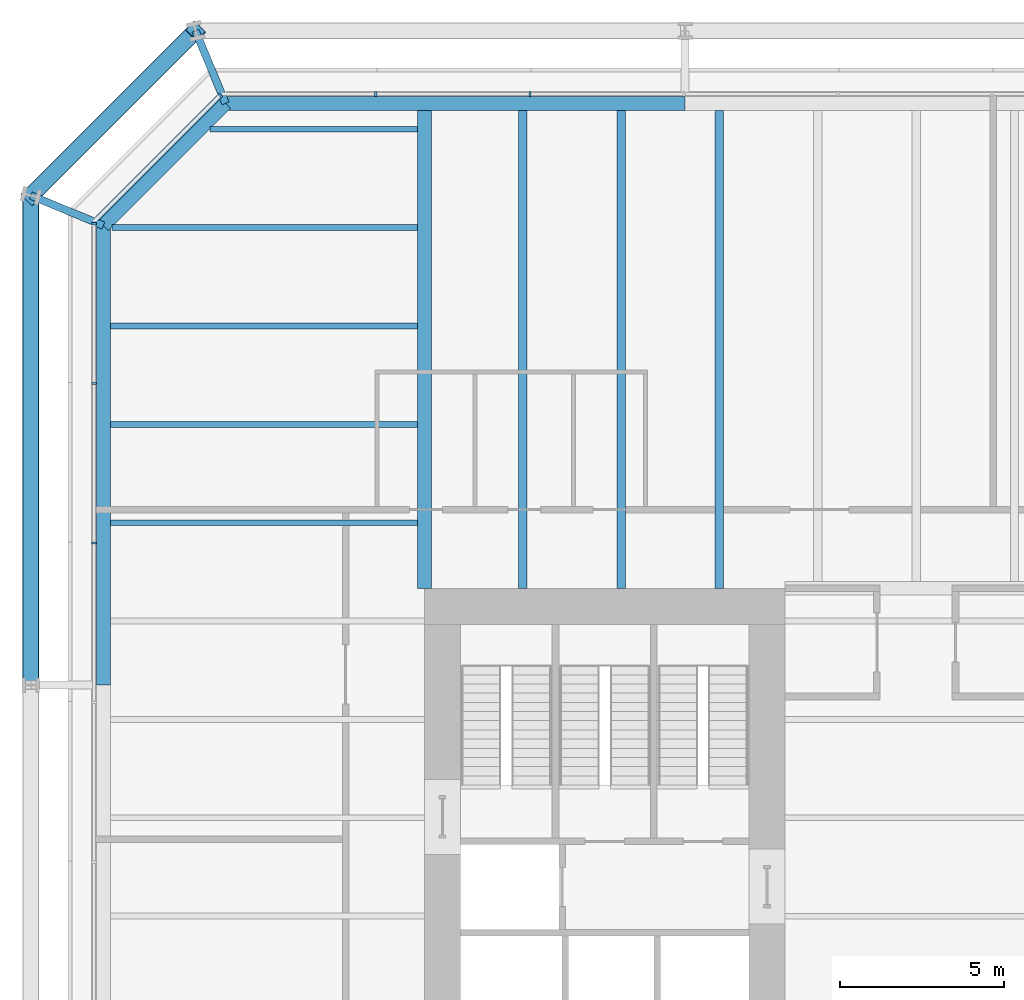
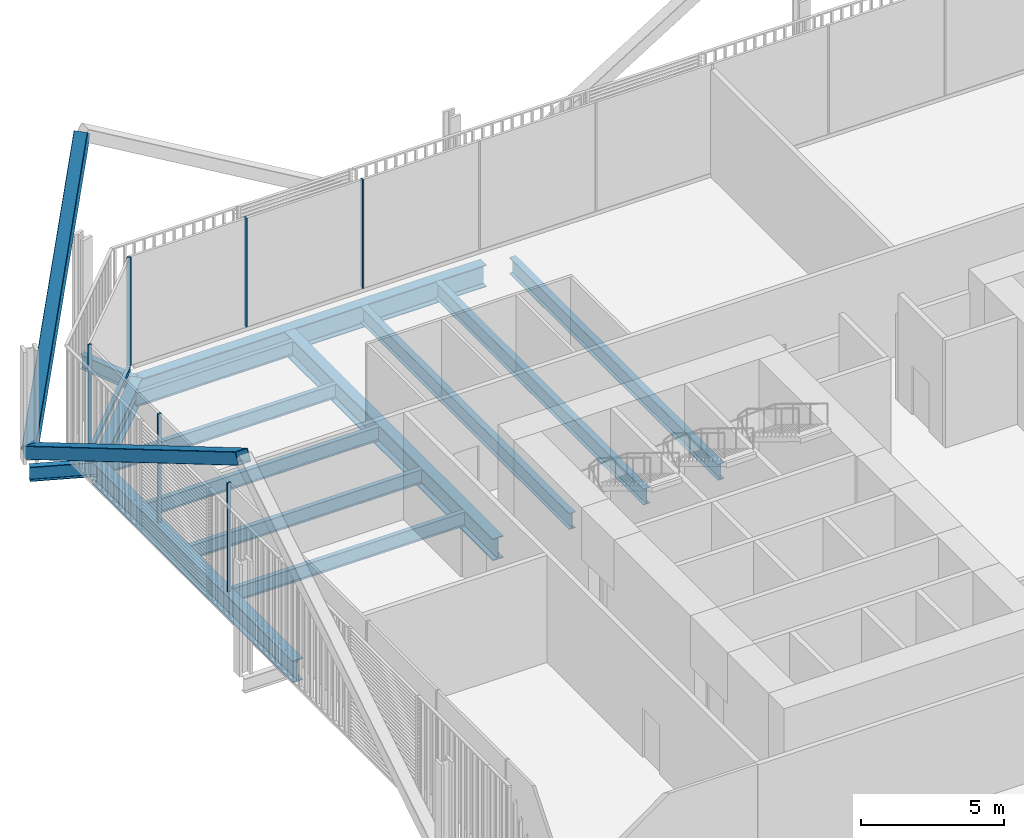
# One storey, part 11 of 26: 14 beams, 9 members, 3 elements without a shape of their own.
"""IFC4 building model written with IfcOpenShell, lengths in metres."""

import ifcopenshell
import ifcopenshell.guid

model = None  # the IFC model being written
_history = None  # IfcOwnerHistory: only IFC2X3 demands one
_inside = {}  # id of a spatial element -> (the spatial element, [elements in it])
_under = {}  # id of a project, library or spatial element -> (it, [spatial elements below it])
_declared = {}  # id of a project -> (the project, [libraries it declares])
_typed = {}  # id of a type object -> (the type object, [elements of that type])
_made_of = {}  # id of a material, layer set ... -> (it, [elements and type objects made of it])


def new_model(schema):
    """Start an empty IFC model of exactly this schema.

    Asked for "IFC4X3", IfcOpenShell would pick the latest addendum, in which some entities
    have other attributes; the version numbers below select the first issue.
    IFC2X3 requires an IfcOwnerHistory on every rooted entity: one is made here for all.
    """
    global model, _history
    if schema == "IFC4X3":
        model = ifcopenshell.file(schema_version=(4, 3, 0, 0))
    else:
        model = ifcopenshell.file(schema=schema)
    _inside.clear()
    _under.clear()
    _declared.clear()
    _typed.clear()
    _made_of.clear()
    _history = None
    if model.schema == "IFC2X3":
        org = make("IfcOrganization", Name="unknown")
        user = make(
            "IfcPersonAndOrganization",
            ThePerson=make("IfcPerson", FamilyName="unknown"),
            TheOrganization=org,
        )
        app = make(
            "IfcApplication",
            ApplicationDeveloper=org,
            Version="unknown",
            ApplicationFullName="unknown",
            ApplicationIdentifier="unknown",
        )
        _history = make(
            "IfcOwnerHistory",
            OwningUser=user,
            OwningApplication=app,
            ChangeAction="ADDED",
            CreationDate=0,
        )
    return model


def make(cls, **values):
    """One entity of the class cls with the attributes given. An attribute that is None is left unset."""
    return model.create_entity(
        cls, **{name: value for name, value in values.items() if value is not None}
    )


def rooted(cls, **values):
    """An entity with a GlobalId (a new one), such as an element, a storey or a relation."""
    return make(cls, GlobalId=ifcopenshell.guid.new(), OwnerHistory=_history, **values)


def si_unit(unit_type, name, prefix=None):
    """IfcSIUnit, for example si_unit("LENGTHUNIT", "METRE", prefix="MILLI")."""
    return make("IfcSIUnit", UnitType=unit_type, Prefix=prefix, Name=name)


def assignment(units):
    """IfcUnitAssignment: the units of a project."""
    return None if units is None else make("IfcUnitAssignment", Units=units)


def point(xyz):
    """IfcCartesianPoint."""
    return None if xyz is None else make("IfcCartesianPoint", Coordinates=xyz)


def direction(xyz):
    """IfcDirection."""
    return None if xyz is None else make("IfcDirection", DirectionRatios=xyz)


def frame(location, z_axis=None, x_axis=None):
    """IfcAxis2Placement3D, a coordinate frame: its origin and axes. An axis left out is left unset."""
    return make(
        "IfcAxis2Placement3D",
        Location=point(location),
        Axis=direction(z_axis),
        RefDirection=direction(x_axis),
    )


def frame_2d(location, x_axis=None):
    """IfcAxis2Placement2D, a coordinate frame in the plane: its origin and x axis."""
    return make(
        "IfcAxis2Placement2D", Location=point(location), RefDirection=direction(x_axis)
    )


def origin():
    """The frame at (0, 0, 0) with its axes left unset."""
    return frame((0.0, 0.0, 0.0))


def origin_2d():
    """The frame at (0, 0) in the plane with its x axis left unset."""
    return frame_2d((0.0, 0.0))


def place(relative_to, where):
    """IfcLocalPlacement: puts the frame where relative to a parent placement (None: the world)."""
    return make(
        "IfcLocalPlacement", PlacementRelTo=relative_to, RelativePlacement=where
    )


def context(
    kind, dimensions, precision=None, world=None, true_north=None, identifier=None
):
    """IfcGeometricRepresentationContext, for example the 3D "Model" context."""
    return make(
        "IfcGeometricRepresentationContext",
        ContextIdentifier=identifier,
        ContextType=kind,
        CoordinateSpaceDimension=dimensions,
        Precision=precision,
        WorldCoordinateSystem=world,
        TrueNorth=true_north,
    )


def subcontext(parent, identifier, kind, view, scale=None):
    """IfcGeometricRepresentationSubContext, for example "Body" below "Model"."""
    return make(
        "IfcGeometricRepresentationSubContext",
        ContextIdentifier=identifier,
        ContextType=kind,
        ParentContext=parent,
        TargetScale=scale,
        TargetView=view,
    )


def project(units=None, contexts=None):
    """IfcProject with its units and contexts."""
    return rooted(
        "IfcProject",
        Name="project",
        RepresentationContexts=contexts,
        UnitsInContext=assignment(units),
    )


def spatial(cls, under=None, at=None, **own):
    """A site, building, storey or space (cls), placed at a placement, below another one or the project."""
    s = rooted(cls, ObjectPlacement=at, **own)
    if under is not None:
        _under.setdefault(under.id(), (under, []))[1].append(s)
    return s


def profile(cls, at=None, kind="AREA", **sizes):
    """A parametric profile (cls). Its sizes go by their IFC names, for example OverallWidth=200.0."""
    return make(cls, ProfileType=kind, Position=at, **sizes)


def rectangle(**sizes):
    """IfcRectangleProfileDef."""
    return profile("IfcRectangleProfileDef", **sizes)


def hollow_rectangle(**sizes):
    """IfcRectangleHollowProfileDef."""
    return profile("IfcRectangleHollowProfileDef", **sizes)


def i_section(**sizes):
    """IfcIShapeProfileDef."""
    return profile("IfcIShapeProfileDef", **sizes)


def extrude(swept, where, along, depth):
    """IfcExtrudedAreaSolid: the profile swept, set in the frame where, extruded along a direction by depth."""
    return make(
        "IfcExtrudedAreaSolid",
        SweptArea=swept,
        Position=where,
        ExtrudedDirection=direction(along),
        Depth=depth,
    )


def shape(context_of_items, identifier, shape_type, items):
    """IfcShapeRepresentation: the items that make up one representation, for example the "Body"."""
    return make(
        "IfcShapeRepresentation",
        ContextOfItems=context_of_items,
        RepresentationIdentifier=identifier,
        RepresentationType=shape_type,
        Items=items,
    )


def material(Name=None, Category=None):
    """IfcMaterial."""
    return make("IfcMaterial", Name=Name, Category=Category)


def layer(
    of_material, thickness, ventilated=None, Name=None, Category=None, Priority=None
):
    """IfcMaterialLayer: one layer of a wall or slab, of a material (None: an air gap)."""
    return make(
        "IfcMaterialLayer",
        Material=of_material,
        LayerThickness=thickness,
        IsVentilated=ventilated,
        Name=Name,
        Category=Category,
        Priority=Priority,
    )


def layer_set(layers, Name=None):
    """IfcMaterialLayerSet."""
    return make("IfcMaterialLayerSet", MaterialLayers=layers, LayerSetName=Name)


def material_profile(
    of_material, cross_section, Name=None, Category=None, Priority=None
):
    """IfcMaterialProfile: a cross section and its material."""
    return make(
        "IfcMaterialProfile",
        Name=Name,
        Material=of_material,
        Profile=cross_section,
        Priority=Priority,
        Category=Category,
    )


def profile_set(profiles, Name=None, composite=None):
    """IfcMaterialProfileSet."""
    return make(
        "IfcMaterialProfileSet",
        Name=Name,
        MaterialProfiles=profiles,
        CompositeProfile=composite,
    )


def made_of(thing, what):
    """Note that an element or type object is made of a material, layer set ...; save() writes the relation."""
    if what is not None:
        _made_of.setdefault(what.id(), (what, []))[1].append(thing)
    return thing


def type_object(cls, material=None, **own):
    """A type object (cls), such as IfcWallType, which elements share."""
    return made_of(rooted(cls, **own), material)


def element(
    cls,
    number,
    at=None,
    inside=None,
    cuts=None,
    type_object=None,
    material=None,
    context=None,
    identifier="Body",
    shape_type=None,
    held_by="IfcProductDefinitionShape",
    body=None,
    shapes=None,
    **own,
):
    """One element of the class cls, such as IfcWall. Its Tag is "e" and its number.

    at: its placement. inside: the storey or other place that contains it. cuts: it is an
    opening in that element (IfcRelVoidsElement). A single representation is given by context,
    identifier, shape_type and body (its items); several are given by shapes. held_by: the class
    of the entity that holds the representations. save() writes the other relations.
    """
    e = rooted(cls, Tag="e%d" % number, ObjectPlacement=at, **own)
    if body is not None:
        shapes = [shape(context, identifier, shape_type, body)]
    if shapes is not None:
        e.Representation = make(held_by, Representations=shapes)
    if inside is not None:
        _inside.setdefault(inside.id(), (inside, []))[1].append(e)
    if cuts is not None:
        rooted(
            "IfcRelVoidsElement", RelatingBuildingElement=cuts, RelatedOpeningElement=e
        )
    if type_object is not None:
        _typed.setdefault(type_object.id(), (type_object, []))[1].append(e)
    return made_of(e, material)


def aggregate(whole, parts):
    """IfcRelAggregates: a whole, such as a stair, and the parts it consists of."""
    return rooted("IfcRelAggregates", RelatingObject=whole, RelatedObjects=parts)


def save(model, path):
    """Write the relations noted so far, then the file.

    IfcRelAggregates (storeys below a building ...), IfcRelContainedInSpatialStructure (elements
    in a storey), IfcRelDefinesByType, IfcRelAssociatesMaterial and IfcRelDeclares: one each for
    every whole, place, type object, material and project.
    """
    for whole, parts in _under.values():
        aggregate(whole, parts)
    for where, things in _inside.values():
        rooted(
            "IfcRelContainedInSpatialStructure",
            RelatedElements=things,
            RelatingStructure=where,
        )
    for kind, things in _typed.values():
        rooted("IfcRelDefinesByType", RelatedObjects=things, RelatingType=kind)
    for what, things in _made_of.values():
        rooted("IfcRelAssociatesMaterial", RelatedObjects=things, RelatingMaterial=what)
    for by, libraries in _declared.values():
        rooted("IfcRelDeclares", RelatingContext=by, RelatedDefinitions=libraries)
    model.write(path)


model = new_model("IFC4")

# Units and contexts
model_context = context("Model", 3, precision=1e-05, world=origin(), true_north=direction((0.0, 1.0)))
body_context = subcontext(model_context, "Body", "Model", "MODEL_VIEW")
ifc_project = project(units=[si_unit("LENGTHUNIT", "METRE"), si_unit("AREAUNIT", "SQUARE_METRE"), si_unit("VOLUMEUNIT", "CUBIC_METRE"), si_unit("PLANEANGLEUNIT", "RADIAN"), si_unit("MASSUNIT", "GRAM", prefix="KILO")], contexts=[model_context])

# Site, building, storey
site_placement = place(None, origin())
site = spatial("IfcSite", under=ifc_project, at=site_placement, CompositionType="ELEMENT")
building_placement = place(site_placement, origin())
building = spatial("IfcBuilding", under=site, at=building_placement, Name="Millrace Tower", CompositionType="ELEMENT")
storey_placement = place(building_placement, frame((0.0, 0.0, 11.300048828125)))
storey = spatial("IfcBuildingStorey", under=building, at=storey_placement, Name="L03", CompositionType="ELEMENT", Elevation=11.300048828125)

# Curtain wall, members
ifc_material_1 = material(Name="Aluminium and glass", Category="aluminium")
ifc_layer = layer(ifc_material_1, 0.14990234375)
ifc_layer_set = layer_set([ifc_layer], Name="Aluminium and glass")
curtain_wall_type = type_object("IfcCurtainWallType", Name="CW-2 data hall insulated curtain wall", PredefinedType="NOTDEFINED", material=ifc_layer_set)
placement = place(storey_placement, origin())
curtain_wall_1 = element("IfcCurtainWall", 1, at=placement, inside=storey, type_object=curtain_wall_type, Name="Curtain wall AW3-F04 L03", PredefinedType="NOTDEFINED")
ifc_material_2 = material(Name="Aluminium", Category="aluminium")
ifc_material_profile_1 = material_profile(ifc_material_2, rectangle(XDim=0.06494140625, YDim=0.14990234375, at=origin_2d()))
ifc_profile_set_1 = profile_set([ifc_material_profile_1], Name="Aluminium")
member_type_1 = type_object("IfcMemberType", Name="CW-2 data hall insulated curtain wall mullion", PredefinedType="MULLION", material=ifc_profile_set_1)
member_1_placement = place(storey_placement, frame((-11.782470703125, 25.074951171875, 0.159912109375), z_axis=(0.0, 0.0, 1.0), x_axis=(-1.0, 0.0, 0.0)))
member_1 = element("IfcMember", 2, at=member_1_placement, type_object=member_type_1, Name="CW2 mullion AW3-F04.8", PredefinedType="MULLION", context=body_context, shape_type="SweptSolid", body=[
    extrude(rectangle(XDim=0.06494140625, YDim=0.14990234375, at=origin_2d()), origin(), (0.0, 0.0, 1.0), 4.64013671875),
])
member_2_placement = place(storey_placement, frame((-16.482421875, 25.074951171875, 0.159912109375), z_axis=(0.0, 0.0, 1.0), x_axis=(-1.0, 0.0, 0.0)))
member_2 = element("IfcMember", 3, at=member_2_placement, type_object=member_type_1, Name="CW2 mullion AW3-F04.9", PredefinedType="MULLION", context=body_context, shape_type="SweptSolid", body=[
    extrude(rectangle(XDim=0.06494140625, YDim=0.14990234375, at=origin_2d()), origin(), (0.0, 0.0, 1.0), 4.64013671875),
])
aggregate(curtain_wall_1, [member_1, member_2])

# Curtain wall, member
curtain_wall_2 = element("IfcCurtainWall", 4, at=placement, inside=storey, type_object=curtain_wall_type, Name="Curtain wall AW3-F05 L03", PredefinedType="NOTDEFINED")
member_3_placement = place(storey_placement, frame((-21.22607421875, 25.030029296875, 0.159912109375), z_axis=(0.0, 0.0, 1.0), x_axis=(-0.707106781187, -0.707106781187, 0.0)))
member_3 = element("IfcMember", 5, at=member_3_placement, type_object=member_type_1, Name="CW2 mullion AW3-F05.1", PredefinedType="MULLION", context=body_context, shape_type="SweptSolid", body=[
    extrude(rectangle(XDim=0.06494140625, YDim=0.14990234375, at=origin_2d()), origin(), (0.0, 0.0, 1.0), 4.64013671875),
])

# Curtain wall, members
curtain_wall_3 = element("IfcCurtainWall", 6, at=placement, inside=storey, type_object=curtain_wall_type, Name="Curtain wall AW3-F06 L03", PredefinedType="NOTDEFINED")
member_4_placement = place(storey_placement, frame((-25.074951171875, 21.117431640625, 0.159912109375), z_axis=(0.0, 0.0, 1.0), x_axis=(0.0, -1.0, 0.0)))
member_4 = element("IfcMember", 7, at=member_4_placement, type_object=member_type_1, Name="CW2 mullion AW3-F06.1", PredefinedType="MULLION", context=body_context, shape_type="SweptSolid", body=[
    extrude(rectangle(XDim=0.06494140625, YDim=0.14990234375, at=origin_2d()), origin(), (0.0, 0.0, 1.0), 4.64013671875),
])
member_5_placement = place(storey_placement, frame((-25.074951171875, 16.249267578125, 0.159912109375), z_axis=(0.0, 0.0, 1.0), x_axis=(0.0, -1.0, 0.0)))
member_5 = element("IfcMember", 8, at=member_5_placement, type_object=member_type_1, Name="CW2 mullion AW3-F06.2", PredefinedType="MULLION", context=body_context, shape_type="SweptSolid", body=[
    extrude(rectangle(XDim=0.06494140625, YDim=0.14990234375, at=origin_2d()), origin(), (0.0, 0.0, 1.0), 4.64013671875),
])
member_6_placement = place(storey_placement, frame((-25.074951171875, 11.381103515625, 0.159912109375), z_axis=(0.0, 0.0, 1.0), x_axis=(0.0, -1.0, 0.0)))
member_6 = element("IfcMember", 9, at=member_6_placement, type_object=member_type_1, Name="CW2 mullion AW3-F06.3", PredefinedType="MULLION", context=body_context, shape_type="SweptSolid", body=[
    extrude(rectangle(XDim=0.06494140625, YDim=0.14990234375, at=origin_2d()), origin(), (0.0, 0.0, 1.0), 4.64013671875),
])
aggregate(curtain_wall_3, [member_4, member_5, member_6])

# Member
ifc_material_3 = material(Name="Aluminium", Category="aluminium")
ifc_material_profile_2 = material_profile(ifc_material_3, rectangle(XDim=0.14990234375, YDim=0.159912109375, at=origin_2d()))
ifc_profile_set_2 = profile_set([ifc_material_profile_2], Name="Aluminium")
member_type_2 = type_object("IfcMemberType", Name="CW-2 data hall insulated curtain wall transom", PredefinedType="USERDEFINED", material=ifc_profile_set_2)
member_7_placement = place(storey_placement, frame((-21.273681640625, 24.982421875, 0.079833984375), z_axis=(-0.707106781187, -0.707106781187, 0.0), x_axis=(0.707106781187, -0.707106781187, 0.0)))
member_7 = element("IfcMember", 10, at=member_7_placement, type_object=member_type_2, Name="CW2 transom AW3-F05.1", ObjectType="TRANSOM", PredefinedType="USERDEFINED", context=body_context, shape_type="SweptSolid", body=[
    extrude(rectangle(XDim=0.14990234375, YDim=0.159912109375, at=origin_2d()), origin(), (0.0, 0.0, 1.0), 5.244873046875),
])

aggregate(curtain_wall_2, [member_3, member_7])

# Members
ifc_material_4 = material(Name="Steel ASTM A500 Grade C", Category="steel")
ifc_material_profile_3 = material_profile(ifc_material_4, hollow_rectangle(XDim=0.508056640625, YDim=0.508056640625, WallThickness=0.022216796875, InnerFilletRadius=0.01123046875, OuterFilletRadius=0.033447265625, at=origin_2d()))
ifc_profile_set_3 = profile_set([ifc_material_profile_3], Name="Steel ASTM A500 Grade C")
member_type_3 = type_object("IfcMemberType", Name="Exoskeleton brace HSS20x20x7/8", PredefinedType="BRACE", material=ifc_profile_set_3)
member_8_placement = place(storey_placement, frame((-27.0, 21.978515625, 0.39990234375), z_axis=(0.444063713793, 0.444063713793, 0.77821259061), x_axis=(-0.707106781187, 0.707106781187, 0.0)))
element("IfcMember", 11, at=member_8_placement, inside=storey, type_object=member_type_3, Name="BRC-A-L03-13", PredefinedType="BRACE", context=body_context, shape_type="SweptSolid", body=[
    extrude(hollow_rectangle(XDim=0.508056640625, YDim=0.508056640625, WallThickness=0.022216796875, InnerFilletRadius=0.01123046875, OuterFilletRadius=0.033447265625, at=origin_2d()), origin(), (0.0, 0.0, 1.0), 11.30810546875),
])
member_9_placement = place(storey_placement, frame((-27.0, 21.978515625, 0.39990234375), z_axis=(0.0, -0.861464835883, 0.507817227491), x_axis=(1.0, 0.0, 0.0)))
element("IfcMember", 12, at=member_9_placement, inside=storey, type_object=member_type_3, Name="BRC-A-L03-14", PredefinedType="BRACE", context=body_context, shape_type="SweptSolid", body=[
    extrude(hollow_rectangle(XDim=0.508056640625, YDim=0.508056640625, WallThickness=0.022216796875, InnerFilletRadius=0.01123046875, OuterFilletRadius=0.033447265625, at=origin_2d()), origin(), (0.0, 0.0, 1.0), 17.3291015625),
])

# Beams
ifc_material_5 = material(Name="Steel ASTM A992 Grade 50", Category="steel")
ifc_material_profile_4 = material_profile(ifc_material_5, i_section(OverallWidth=0.177978515625, OverallDepth=0.599365234375, WebThickness=0.010009765625, FlangeThickness=0.012939453125, FilletRadius=0.012939453125, at=origin_2d()))
ifc_profile_set_4 = profile_set([ifc_material_profile_4], Name="Steel ASTM A992 Grade 50")
beam_type_1 = type_object("IfcBeamType", Name="Floor beam W24x55", PredefinedType="JOIST", material=ifc_profile_set_4)
beam_1_placement = place(storey_placement, frame((-21.52978515625, 24.0, -0.524658203125), z_axis=(1.0, 0.0, 0.0), x_axis=(0.0, 1.0, 0.0)))
element("IfcBeam", 13, at=beam_1_placement, inside=storey, type_object=beam_type_1, Name="BM-A-L03-S1-S046", PredefinedType="JOIST", context=body_context, shape_type="SweptSolid", body=[
    extrude(i_section(OverallWidth=0.177978515625, OverallDepth=0.599365234375, WebThickness=0.010009765625, FlangeThickness=0.012939453125, FilletRadius=0.012939453125, at=origin_2d()), origin(), (0.0, 0.0, 1.0), 6.317626953125),
])
ifc_material_6 = material(Name="Steel ASTM A992 Grade 50", Category="steel")
ifc_material_profile_5 = material_profile(ifc_material_6, i_section(OverallWidth=0.1787109375, OverallDepth=0.60205078125, WebThickness=0.010986328125, FlangeThickness=0.014892578125, FilletRadius=0.0126953125, at=origin_2d()))
ifc_profile_set_5 = profile_set([ifc_material_profile_5], Name="Steel ASTM A992 Grade 50")
beam_type_2 = type_object("IfcBeamType", Name="Floor beam W24x62", PredefinedType="JOIST", material=ifc_profile_set_5)
for number, where, z_axis, x_axis, name in (
    (14, (-24.578369140625, 12.0, -0.526123046875), (1.0, 0.0, 0.0), (0.0, 1.0, 0.0), "BM-A-L03-S1-S038"),
    (15, (-24.578369140625, 15.0, -0.526123046875), (1.0, 0.0, 0.0), (0.0, 1.0, 0.0), "BM-A-L03-S1-S040"),
    (16, (-24.578369140625, 18.0, -0.526123046875), (1.0, 0.0, 0.0), (0.0, 1.0, 0.0), "BM-A-L03-S1-S042"),
):
    element("IfcBeam", number, at=place(storey_placement, frame(where, z_axis=z_axis, x_axis=x_axis)), inside=storey, type_object=beam_type_2, Name=name, PredefinedType="JOIST", context=body_context, shape_type="SweptSolid", body=[
        extrude(i_section(OverallWidth=0.1787109375, OverallDepth=0.60205078125, WebThickness=0.010986328125, FlangeThickness=0.014892578125, FilletRadius=0.0126953125, at=origin_2d()), origin(), (0.0, 0.0, 1.0), 9.3662109375),
    ])
beam_2_placement = place(storey_placement, frame((-24.52978515625, 21.0, -0.526123046875), z_axis=(1.0, 0.0, 0.0), x_axis=(0.0, 1.0, 0.0)))
element("IfcBeam", 17, at=beam_2_placement, inside=storey, type_object=beam_type_2, Name="BM-A-L03-S1-S044", PredefinedType="JOIST", context=body_context, shape_type="SweptSolid", body=[
    extrude(i_section(OverallWidth=0.1787109375, OverallDepth=0.60205078125, WebThickness=0.010986328125, FlangeThickness=0.014892578125, FilletRadius=0.0126953125, at=origin_2d()), origin(), (0.0, 0.0, 1.0), 9.317626953125),
])
ifc_material_7 = material(Name="Steel ASTM A992 Grade 50", Category="steel")
ifc_material_profile_6 = material_profile(ifc_material_7, i_section(OverallWidth=0.256591796875, OverallDepth=0.693359375, WebThickness=0.014404296875, FlangeThickness=0.023681640625, FilletRadius=0.01513671875, at=origin_2d()))
ifc_profile_set_6 = profile_set([ifc_material_profile_6], Name="Steel ASTM A992 Grade 50")
beam_type_3 = type_object("IfcBeamType", Name="Floor beam W27x114", PredefinedType="JOIST", material=ifc_profile_set_6)
for number, where, z_axis, x_axis, name in (
    (18, (-12.0, 10.0, -0.57177734375), (0.0, 1.0, 0.0), (-1.0, 0.0, 0.0), "BM-A-L03-S1-S048"),
    (19, (-9.0, 10.0, -0.57177734375), (0.0, 1.0, 0.0), (-1.0, 0.0, 0.0), "BM-A-L03-S1-S050"),
    (20, (-6.0, 10.0, -0.57177734375), (0.0, 1.0, 0.0), (-1.0, 0.0, 0.0), "BM-A-L03-S1-S052"),
):
    element("IfcBeam", number, at=place(storey_placement, frame(where, z_axis=z_axis, x_axis=x_axis)), inside=storey, type_object=beam_type_3, Name=name, PredefinedType="JOIST", context=body_context, shape_type="SweptSolid", body=[
        extrude(i_section(OverallWidth=0.256591796875, OverallDepth=0.693359375, WebThickness=0.014404296875, FlangeThickness=0.023681640625, FilletRadius=0.01513671875, at=origin_2d()), origin(), (0.0, 0.0, 1.0), 14.578369140625),
    ])
ifc_material_8 = material(Name="Steel ASTM A992 Grade 50", Category="steel")
ifc_material_profile_7 = material_profile(ifc_material_8, i_section(OverallWidth=0.424072265625, OverallDepth=0.947509765625, WebThickness=0.02392578125, FlangeThickness=0.042724609375, FilletRadius=0.024169921875, at=origin_2d()))
ifc_profile_set_7 = profile_set([ifc_material_profile_7], Name="Steel ASTM A992 Grade 50")
beam_type_4 = type_object("IfcBeamType", Name="Girder medium span W36x302", PredefinedType="BEAM", material=ifc_profile_set_7)
beam_3_placement = place(storey_placement, frame((-15.0, 10.0, -0.69873046875), z_axis=(0.0, 1.0, 0.0), x_axis=(-1.0, 0.0, 0.0)))
element("IfcBeam", 21, at=beam_3_placement, inside=storey, type_object=beam_type_4, Name="BM-A-L03-S1-G066", PredefinedType="BEAM", context=body_context, shape_type="SweptSolid", body=[
    extrude(i_section(OverallWidth=0.424072265625, OverallDepth=0.947509765625, WebThickness=0.02392578125, FlangeThickness=0.042724609375, FilletRadius=0.024169921875, at=origin_2d()), origin(), (0.0, 0.0, 1.0), 14.578369140625),
])
ifc_material_9 = material(Name="Steel ASTM A992 Grade 50", Category="steel")
ifc_material_profile_8 = material_profile(ifc_material_9, i_section(OverallWidth=0.23046875, OverallDepth=0.6171875, WebThickness=0.01318359375, FlangeThickness=0.022216796875, FilletRadius=0.012939453125, at=origin_2d()))
ifc_profile_set_8 = profile_set([ifc_material_profile_8], Name="Steel ASTM A992 Grade 50")
beam_type_5 = type_object("IfcBeamType", Name="Link beam W24x94", PredefinedType="BEAM", material=ifc_profile_set_8)
for number, where, z_axis, x_axis, name in (
    (22, (-24.7890625, 21.062744140625, -0.53369140625), (-0.923883789366, 0.382673155247, 0.0), (-0.382673155247, -0.923883789366, 0.0), "LNK-A-L03-S1-05"),
    (23, (-21.062744140625, 24.7890625, -0.53369140625), (-0.382673155247, 0.923883789366, 0.0), (-0.923883789366, -0.382673155247, 0.0), "LNK-A-L03-S1-06"),
):
    element("IfcBeam", number, at=place(storey_placement, frame(where, z_axis=z_axis, x_axis=x_axis)), inside=storey, type_object=beam_type_5, Name=name, PredefinedType="BEAM", context=body_context, shape_type="SweptSolid", body=[
        extrude(i_section(OverallWidth=0.23046875, OverallDepth=0.6171875, WebThickness=0.01318359375, FlangeThickness=0.022216796875, FilletRadius=0.012939453125, at=origin_2d()), origin(), (0.0, 0.0, 1.0), 2.39306640625),
    ])
ifc_material_10 = material(Name="Steel ASTM A992 Grade 50", Category="steel")
ifc_material_profile_9 = material_profile(ifc_material_10, i_section(OverallWidth=0.421630859375, OverallDepth=0.937255859375, WebThickness=0.021240234375, FlangeThickness=0.03662109375, FilletRadius=0.024169921875, at=origin_2d()))
ifc_profile_set_9 = profile_set([ifc_material_profile_9], Name="Steel ASTM A992 Grade 50")
beam_type_6 = type_object("IfcBeamType", Name="Ring beam medium span W36x262", PredefinedType="SPANDREL", material=ifc_profile_set_9)
for number, where, z_axis, x_axis, name in (
    (24, (-24.7890625, 7.050048828125, -0.693603515625), (0.0, 1.0, 0.0), (-1.0, 0.0, 0.0), "RNG-A-L03-S1-04"),
    (25, (-21.062744140625, 24.7890625, -0.693603515625), (1.0, 0.0, 0.0), (0.0, 1.0, 0.0), "RNG-A-L03-S1-06"),
):
    element("IfcBeam", number, at=place(storey_placement, frame(where, z_axis=z_axis, x_axis=x_axis)), inside=storey, type_object=beam_type_6, Name=name, PredefinedType="SPANDREL", context=body_context, shape_type="SweptSolid", body=[
        extrude(i_section(OverallWidth=0.421630859375, OverallDepth=0.937255859375, WebThickness=0.021240234375, FlangeThickness=0.03662109375, FilletRadius=0.024169921875, at=origin_2d()), origin(), (0.0, 0.0, 1.0), 14.0126953125),
    ])
ifc_material_11 = material(Name="Steel ASTM A992 Grade 50", Category="steel")
ifc_material_profile_10 = material_profile(ifc_material_11, i_section(OverallWidth=0.421630859375, OverallDepth=0.937255859375, WebThickness=0.021240234375, FlangeThickness=0.03662109375, FilletRadius=0.024169921875, at=origin_2d()))
ifc_profile_set_10 = profile_set([ifc_material_profile_10], Name="Steel ASTM A992 Grade 50")
beam_type_7 = type_object("IfcBeamType", Name="Ring beam short span W36x262", PredefinedType="SPANDREL", material=ifc_profile_set_10)
beam_4_placement = place(storey_placement, frame((-24.7890625, 21.062744140625, -0.693603515625), z_axis=(0.707106781187, 0.707106781187, 0.0), x_axis=(-0.707106781187, 0.707106781187, 0.0)))
element("IfcBeam", 26, at=beam_4_placement, inside=storey, type_object=beam_type_7, Name="RNG-A-L03-S1-05", PredefinedType="SPANDREL", context=body_context, shape_type="SweptSolid", body=[
    extrude(i_section(OverallWidth=0.421630859375, OverallDepth=0.937255859375, WebThickness=0.021240234375, FlangeThickness=0.03662109375, FilletRadius=0.024169921875, at=origin_2d()), origin(), (0.0, 0.0, 1.0), 5.269775390625),
])

save(model, "model.ifc")
